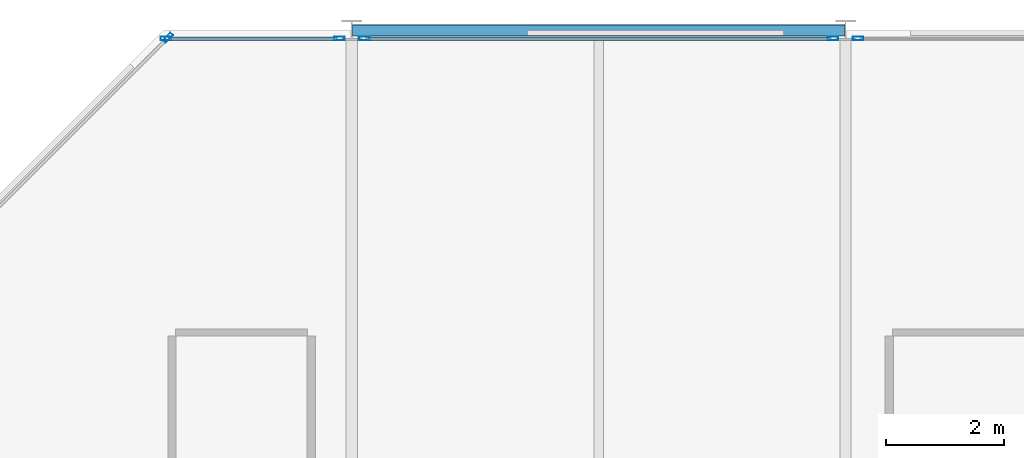
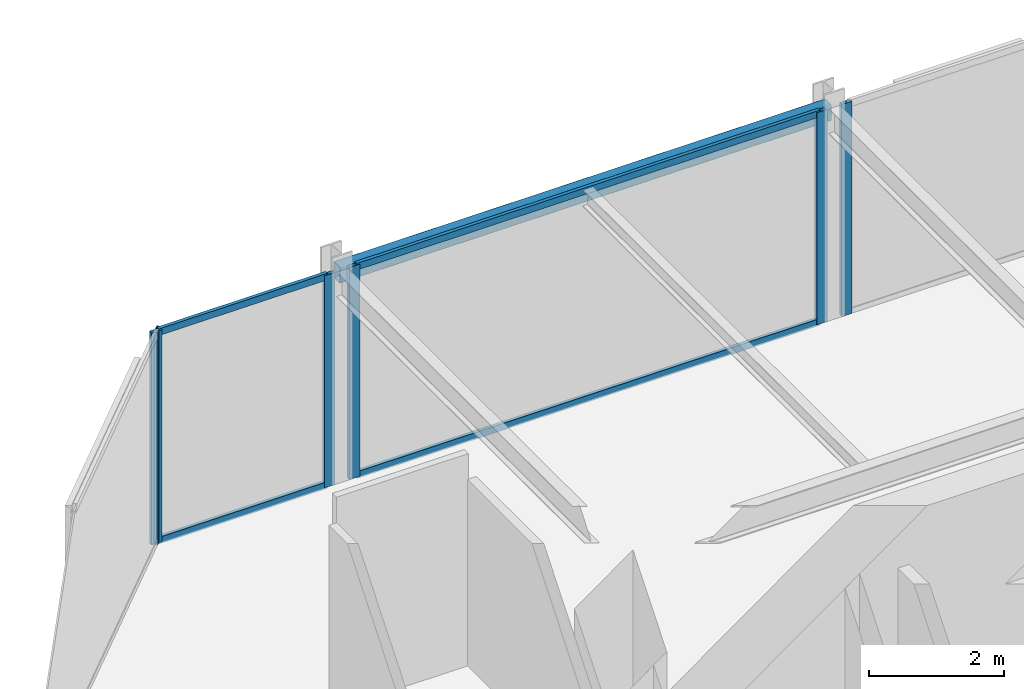
# One storey, part 20 of 29: 10 members, 1 beam, 4 elements without a shape of their own.
"""IFC4 building model written with IfcOpenShell, lengths in metres."""

from ifc_helpers import new_model, si_unit, direction, frame, origin, origin_2d, place, context, subcontext, project, spatial, hollow_rectangle, extrude, material, layer, layer_set, material_profile, profile_set, type_object, element, aggregate, save


model = new_model("IFC4")

# Units and contexts
model_context = context("Model", 3, precision=1e-05, world=origin(), true_north=direction((0.0, 1.0)))
body_context = subcontext(model_context, "Body", "Model", "MODEL_VIEW")
ifc_project = project(units=[si_unit("LENGTHUNIT", "METRE"), si_unit("AREAUNIT", "SQUARE_METRE"), si_unit("VOLUMEUNIT", "CUBIC_METRE"), si_unit("PLANEANGLEUNIT", "RADIAN"), si_unit("MASSUNIT", "GRAM", prefix="KILO")], contexts=[model_context])

# Site, building, storey
site_placement = place(None, origin())
site = spatial("IfcSite", under=ifc_project, at=site_placement, CompositionType="ELEMENT")
building_placement = place(site_placement, origin())
building = spatial("IfcBuilding", under=site, at=building_placement, Name="Nerrivon Quay Data Exchange", CompositionType="ELEMENT")
storey_placement = place(building_placement, frame((0.0, 0.0, 200.10009765625)))
storey = spatial("IfcBuildingStorey", under=building, at=storey_placement, Name="L47", CompositionType="ELEMENT", Elevation=200.10009765625)

# Beam
ifc_material_1 = material(Name="Steel Grade C350L0 (350 MPa)", Category="steel")
ifc_material_profile_1 = material_profile(ifc_material_1, hollow_rectangle(XDim=0.199951171875, YDim=0.300048828125, WallThickness=0.012451171875, InnerFilletRadius=0.018798828125, OuterFilletRadius=0.03125, at=origin_2d()), Name="300x200x12.5RHS")
ifc_profile_set_1 = profile_set([ifc_material_profile_1], Name="Steel Grade C350L0 (350 MPa)")
beam_type = type_object("IfcBeamType", Name="BM-SP3-300x200RHS", PredefinedType="SPANDREL", material=ifc_profile_set_1)
beam_placement = place(storey_placement, frame((8.409912109375, 50.39990234375, 3.6748046875), z_axis=(1.0, 0.0, 0.0), x_axis=(0.0, 1.0, 0.0)))
element("IfcBeam", 1, at=beam_placement, inside=storey, type_object=beam_type, Name="L47 EW Girder Y=50.4 (8.4..16.8)", PredefinedType="SPANDREL", context=body_context, shape_type="SweptSolid", body=[
    extrude(hollow_rectangle(XDim=0.199951171875, YDim=0.300048828125, WallThickness=0.012451171875, InnerFilletRadius=0.018798828125, OuterFilletRadius=0.03125, at=origin_2d()), origin(), (0.0, 0.0, 1.0), 8.380126953125),
])

# Curtain wall, member
ifc_material_2 = material(Name="Anodised aluminium 6063-T6", Category="aluminium")
ifc_layer = layer(ifc_material_2, 0.195068359375)
ifc_layer_set = layer_set([ifc_layer], Name="Anodised aluminium 6063-T6")
curtain_wall_type = type_object("IfcCurtainWallType", Name="CW-SYS-06", PredefinedType="NOTDEFINED", material=ifc_layer_set)
curtain_wall_1_placement = place(storey_placement, origin())
curtain_wall_1 = element("IfcCurtainWall", 2, at=curtain_wall_1_placement, inside=storey, type_object=curtain_wall_type, Name="L47 Unitised Curtain Wall 7", PredefinedType="NOTDEFINED")
ifc_material_profile_2 = material_profile(ifc_material_2, hollow_rectangle(XDim=0.06494140625, YDim=0.179931640625, WallThickness=0.00341796875, at=origin_2d()), Name="ALU-MULL-180x65")
ifc_profile_set_2 = profile_set([ifc_material_profile_2], Name="Anodised aluminium 6063-T6")
member_type_1 = type_object("IfcMemberType", Name="CWM-180x65", PredefinedType="MULLION", material=ifc_profile_set_2)
member_1_placement = place(storey_placement, frame((5.2724609375, 50.2744140625, 0.0), z_axis=(0.0, 0.0, 1.0), x_axis=(-0.707106781187, 0.707106781187, 0.0)))
member_1 = element("IfcMember", 3, at=member_1_placement, type_object=member_type_1, Name="CW06 mullion 2", PredefinedType="MULLION", context=body_context, shape_type="SweptSolid", body=[
    extrude(hollow_rectangle(XDim=0.06494140625, YDim=0.179931640625, WallThickness=0.00341796875, at=origin_2d()), origin(), (0.0, 0.0, 1.0), 3.824951171875),
])
aggregate(curtain_wall_1, [member_1])

# Curtain wall, members
curtain_wall_2_placement = place(storey_placement, origin())
curtain_wall_2 = element("IfcCurtainWall", 4, at=curtain_wall_2_placement, inside=storey, type_object=curtain_wall_type, Name="L47 Unitised Curtain Wall 8", PredefinedType="NOTDEFINED")
member_2_placement = place(storey_placement, frame((5.237548828125, 50.260009765625, 0.0), z_axis=(0.0, 0.0, 1.0), x_axis=(0.0, 1.0, 0.0)))
member_2 = element("IfcMember", 5, at=member_2_placement, type_object=member_type_1, Name="CW06 mullion 1", PredefinedType="MULLION", context=body_context, shape_type="SweptSolid", body=[
    extrude(hollow_rectangle(XDim=0.06494140625, YDim=0.179931640625, WallThickness=0.00341796875, at=origin_2d()), origin(), (0.0, 0.0, 1.0), 3.824951171875),
])
member_3_placement = place(storey_placement, frame((8.1875, 50.260009765625, 0.0), z_axis=(0.0, 0.0, 1.0), x_axis=(0.0, 1.0, 0.0)))
member_3 = element("IfcMember", 6, at=member_3_placement, type_object=member_type_1, Name="CW06 mullion 2", PredefinedType="MULLION", context=body_context, shape_type="SweptSolid", body=[
    extrude(hollow_rectangle(XDim=0.06494140625, YDim=0.179931640625, WallThickness=0.00341796875, at=origin_2d()), origin(), (0.0, 0.0, 1.0), 3.824951171875),
])

curtain_wall_3_placement = place(storey_placement, origin())
curtain_wall_3 = element("IfcCurtainWall", 7, at=curtain_wall_3_placement, inside=storey, type_object=curtain_wall_type, Name="L47 Unitised Curtain Wall 9", PredefinedType="NOTDEFINED")
member_4_placement = place(storey_placement, frame((8.612548828125, 50.260009765625, 0.0), z_axis=(0.0, 0.0, 1.0), x_axis=(0.0, 1.0, 0.0)))
member_4 = element("IfcMember", 8, at=member_4_placement, type_object=member_type_1, Name="CW06 mullion 1", PredefinedType="MULLION", context=body_context, shape_type="SweptSolid", body=[
    extrude(hollow_rectangle(XDim=0.06494140625, YDim=0.179931640625, WallThickness=0.00341796875, at=origin_2d()), origin(), (0.0, 0.0, 1.0), 3.824951171875),
])
member_5_placement = place(storey_placement, frame((16.58740234375, 50.260009765625, 0.0), z_axis=(0.0, 0.0, 1.0), x_axis=(0.0, 1.0, 0.0)))
member_5 = element("IfcMember", 9, at=member_5_placement, type_object=member_type_1, Name="CW06 mullion 2", PredefinedType="MULLION", context=body_context, shape_type="SweptSolid", body=[
    extrude(hollow_rectangle(XDim=0.06494140625, YDim=0.179931640625, WallThickness=0.00341796875, at=origin_2d()), origin(), (0.0, 0.0, 1.0), 3.824951171875),
])

# Curtain wall, member
curtain_wall_4_placement = place(storey_placement, origin())
curtain_wall_4 = element("IfcCurtainWall", 10, at=curtain_wall_4_placement, inside=storey, type_object=curtain_wall_type, Name="L47 Unitised Curtain Wall 10", PredefinedType="NOTDEFINED")
member_6_placement = place(storey_placement, frame((17.012451171875, 50.260009765625, 0.0), z_axis=(0.0, 0.0, 1.0), x_axis=(0.0, 1.0, 0.0)))
member_6 = element("IfcMember", 11, at=member_6_placement, type_object=member_type_1, Name="CW06 mullion 1", PredefinedType="MULLION", context=body_context, shape_type="SweptSolid", body=[
    extrude(hollow_rectangle(XDim=0.06494140625, YDim=0.179931640625, WallThickness=0.00341796875, at=origin_2d()), origin(), (0.0, 0.0, 1.0), 3.824951171875),
])
aggregate(curtain_wall_4, [member_6])

# Member
ifc_material_profile_3 = material_profile(ifc_material_2, hollow_rectangle(XDim=0.06005859375, YDim=0.1201171875, WallThickness=0.003173828125, at=origin_2d()), Name="ALU-TRAN-120x60")
ifc_profile_set_3 = profile_set([ifc_material_profile_3], Name="Anodised aluminium 6063-T6")
member_type_2 = type_object("IfcMemberType", Name="CWT-120x60", PredefinedType="USERDEFINED", material=ifc_profile_set_3)
member_7_placement = place(storey_placement, frame((5.27490234375, 50.260009765625, 0.032470703125), z_axis=(1.0, 0.0, 0.0), x_axis=(0.0, 1.0, 0.0)))
member_7 = element("IfcMember", 12, at=member_7_placement, type_object=member_type_2, Name="CW06 transom 1.1", ObjectType="TRANSOM", PredefinedType="USERDEFINED", context=body_context, shape_type="SweptSolid", body=[
    extrude(hollow_rectangle(XDim=0.06005859375, YDim=0.1201171875, WallThickness=0.003173828125, at=origin_2d()), origin(), (0.0, 0.0, 1.0), 2.875),
])

member_8_placement = place(storey_placement, frame((5.27490234375, 50.260009765625, 3.79248046875), z_axis=(1.0, 0.0, 0.0), x_axis=(0.0, 1.0, 0.0)))
member_8 = element("IfcMember", 13, at=member_8_placement, type_object=member_type_2, Name="CW06 transom 1.2", ObjectType="TRANSOM", PredefinedType="USERDEFINED", context=body_context, shape_type="SweptSolid", body=[
    extrude(hollow_rectangle(XDim=0.06005859375, YDim=0.1201171875, WallThickness=0.003173828125, at=origin_2d()), origin(), (0.0, 0.0, 1.0), 2.875),
])

aggregate(curtain_wall_2, [member_2, member_3, member_7, member_8])

member_9_placement = place(storey_placement, frame((8.64990234375, 50.260009765625, 0.032470703125), z_axis=(1.0, 0.0, 0.0), x_axis=(0.0, 1.0, 0.0)))
member_9 = element("IfcMember", 14, at=member_9_placement, type_object=member_type_2, Name="CW06 transom 1.1", ObjectType="TRANSOM", PredefinedType="USERDEFINED", context=body_context, shape_type="SweptSolid", body=[
    extrude(hollow_rectangle(XDim=0.06005859375, YDim=0.1201171875, WallThickness=0.003173828125, at=origin_2d()), origin(), (0.0, 0.0, 1.0), 7.900146484375),
])

member_10_placement = place(storey_placement, frame((8.64990234375, 50.260009765625, 3.79248046875), z_axis=(1.0, 0.0, 0.0), x_axis=(0.0, 1.0, 0.0)))
member_10 = element("IfcMember", 15, at=member_10_placement, type_object=member_type_2, Name="CW06 transom 1.2", ObjectType="TRANSOM", PredefinedType="USERDEFINED", context=body_context, shape_type="SweptSolid", body=[
    extrude(hollow_rectangle(XDim=0.06005859375, YDim=0.1201171875, WallThickness=0.003173828125, at=origin_2d()), origin(), (0.0, 0.0, 1.0), 7.900146484375),
])

aggregate(curtain_wall_3, [member_4, member_5, member_9, member_10])

save(model, "model.ifc")
